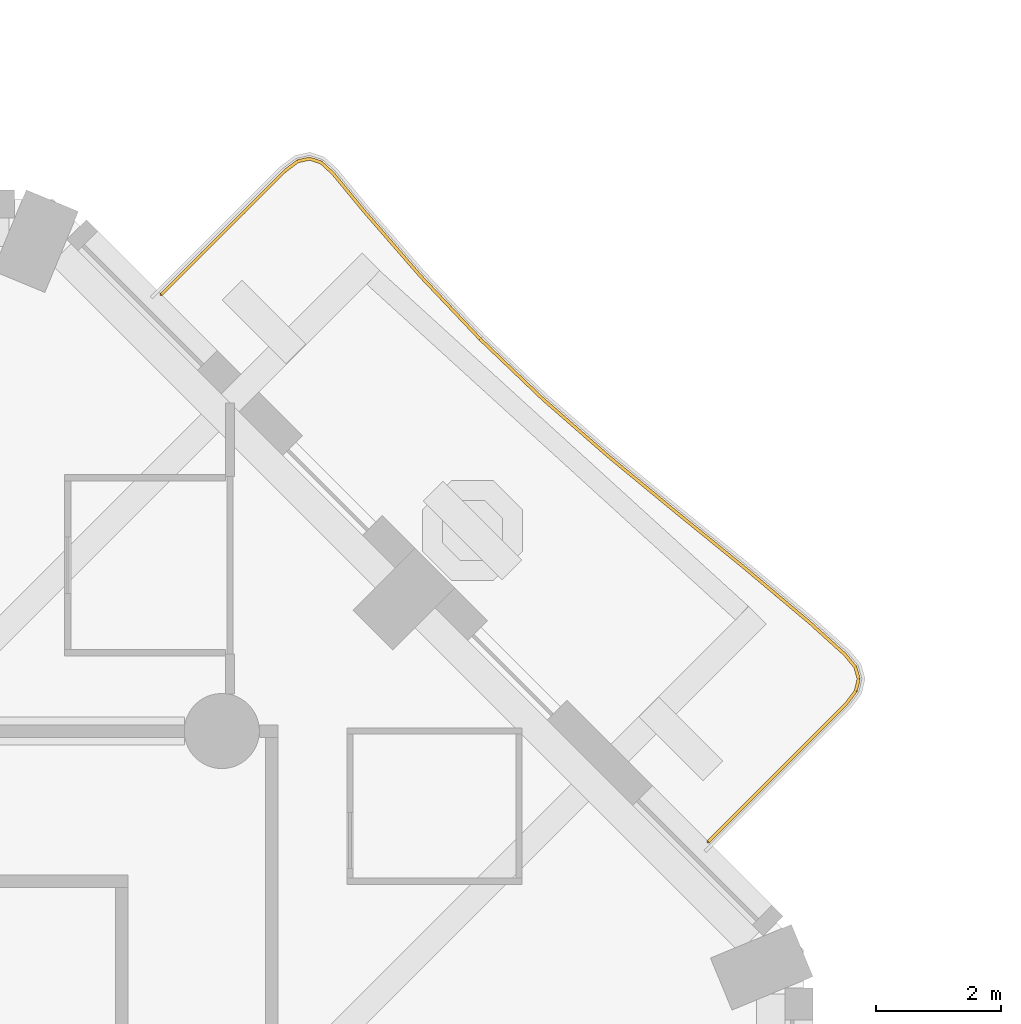
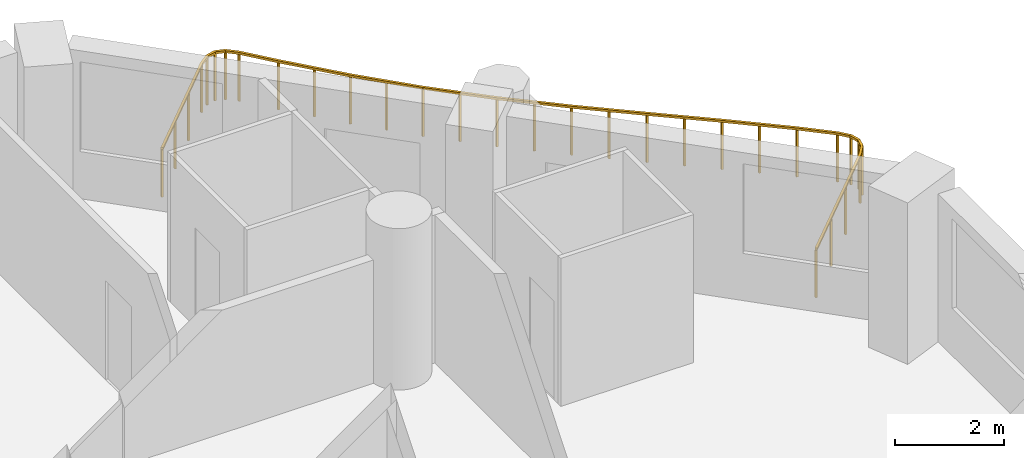
# One storey, part 19 of 20: 1 railing.
"""IFC4 building model written with IfcOpenShell, lengths in metres."""

import ifcopenshell
import ifcopenshell.guid

model = None  # the IFC model being written
_history = None  # IfcOwnerHistory: only IFC2X3 demands one
_inside = {}  # id of a spatial element -> (the spatial element, [elements in it])
_under = {}  # id of a project, library or spatial element -> (it, [spatial elements below it])
_declared = {}  # id of a project -> (the project, [libraries it declares])
_typed = {}  # id of a type object -> (the type object, [elements of that type])
_made_of = {}  # id of a material, layer set ... -> (it, [elements and type objects made of it])


def new_model(schema):
    """Start an empty IFC model of exactly this schema.

    Asked for "IFC4X3", IfcOpenShell would pick the latest addendum, in which some entities
    have other attributes; the version numbers below select the first issue.
    IFC2X3 requires an IfcOwnerHistory on every rooted entity: one is made here for all.
    """
    global model, _history
    if schema == "IFC4X3":
        model = ifcopenshell.file(schema_version=(4, 3, 0, 0))
    else:
        model = ifcopenshell.file(schema=schema)
    _inside.clear()
    _under.clear()
    _declared.clear()
    _typed.clear()
    _made_of.clear()
    _history = None
    if model.schema == "IFC2X3":
        org = make("IfcOrganization", Name="unknown")
        user = make(
            "IfcPersonAndOrganization",
            ThePerson=make("IfcPerson", FamilyName="unknown"),
            TheOrganization=org,
        )
        app = make(
            "IfcApplication",
            ApplicationDeveloper=org,
            Version="unknown",
            ApplicationFullName="unknown",
            ApplicationIdentifier="unknown",
        )
        _history = make(
            "IfcOwnerHistory",
            OwningUser=user,
            OwningApplication=app,
            ChangeAction="ADDED",
            CreationDate=0,
        )
    return model


def make(cls, **values):
    """One entity of the class cls with the attributes given. An attribute that is None is left unset."""
    return model.create_entity(
        cls, **{name: value for name, value in values.items() if value is not None}
    )


def rooted(cls, **values):
    """An entity with a GlobalId (a new one), such as an element, a storey or a relation."""
    return make(cls, GlobalId=ifcopenshell.guid.new(), OwnerHistory=_history, **values)


def si_unit(unit_type, name, prefix=None):
    """IfcSIUnit, for example si_unit("LENGTHUNIT", "METRE", prefix="MILLI")."""
    return make("IfcSIUnit", UnitType=unit_type, Prefix=prefix, Name=name)


def assignment(units):
    """IfcUnitAssignment: the units of a project."""
    return None if units is None else make("IfcUnitAssignment", Units=units)


def point(xyz):
    """IfcCartesianPoint."""
    return None if xyz is None else make("IfcCartesianPoint", Coordinates=xyz)


def direction(xyz):
    """IfcDirection."""
    return None if xyz is None else make("IfcDirection", DirectionRatios=xyz)


def frame(location, z_axis=None, x_axis=None):
    """IfcAxis2Placement3D, a coordinate frame: its origin and axes. An axis left out is left unset."""
    return make(
        "IfcAxis2Placement3D",
        Location=point(location),
        Axis=direction(z_axis),
        RefDirection=direction(x_axis),
    )


def frame_2d(location, x_axis=None):
    """IfcAxis2Placement2D, a coordinate frame in the plane: its origin and x axis."""
    return make(
        "IfcAxis2Placement2D", Location=point(location), RefDirection=direction(x_axis)
    )


def origin():
    """The frame at (0, 0, 0) with its axes left unset."""
    return frame((0.0, 0.0, 0.0))


def origin_2d():
    """The frame at (0, 0) in the plane with its x axis left unset."""
    return frame_2d((0.0, 0.0))


def place(relative_to, where):
    """IfcLocalPlacement: puts the frame where relative to a parent placement (None: the world)."""
    return make(
        "IfcLocalPlacement", PlacementRelTo=relative_to, RelativePlacement=where
    )


def context(
    kind, dimensions, precision=None, world=None, true_north=None, identifier=None
):
    """IfcGeometricRepresentationContext, for example the 3D "Model" context."""
    return make(
        "IfcGeometricRepresentationContext",
        ContextIdentifier=identifier,
        ContextType=kind,
        CoordinateSpaceDimension=dimensions,
        Precision=precision,
        WorldCoordinateSystem=world,
        TrueNorth=true_north,
    )


def subcontext(parent, identifier, kind, view, scale=None):
    """IfcGeometricRepresentationSubContext, for example "Body" below "Model"."""
    return make(
        "IfcGeometricRepresentationSubContext",
        ContextIdentifier=identifier,
        ContextType=kind,
        ParentContext=parent,
        TargetScale=scale,
        TargetView=view,
    )


def project(units=None, contexts=None):
    """IfcProject with its units and contexts."""
    return rooted(
        "IfcProject",
        Name="project",
        RepresentationContexts=contexts,
        UnitsInContext=assignment(units),
    )


def spatial(cls, under=None, at=None, **own):
    """A site, building, storey or space (cls), placed at a placement, below another one or the project."""
    s = rooted(cls, ObjectPlacement=at, **own)
    if under is not None:
        _under.setdefault(under.id(), (under, []))[1].append(s)
    return s


def profile(cls, at=None, kind="AREA", **sizes):
    """A parametric profile (cls). Its sizes go by their IFC names, for example OverallWidth=200.0."""
    return make(cls, ProfileType=kind, Position=at, **sizes)


def rectangle(**sizes):
    """IfcRectangleProfileDef."""
    return profile("IfcRectangleProfileDef", **sizes)


def extrude(swept, where, along, depth):
    """IfcExtrudedAreaSolid: the profile swept, set in the frame where, extruded along a direction by depth."""
    return make(
        "IfcExtrudedAreaSolid",
        SweptArea=swept,
        Position=where,
        ExtrudedDirection=direction(along),
        Depth=depth,
    )


def shape(context_of_items, identifier, shape_type, items):
    """IfcShapeRepresentation: the items that make up one representation, for example the "Body"."""
    return make(
        "IfcShapeRepresentation",
        ContextOfItems=context_of_items,
        RepresentationIdentifier=identifier,
        RepresentationType=shape_type,
        Items=items,
    )


def material(Name=None, Category=None):
    """IfcMaterial."""
    return make("IfcMaterial", Name=Name, Category=Category)


def made_of(thing, what):
    """Note that an element or type object is made of a material, layer set ...; save() writes the relation."""
    if what is not None:
        _made_of.setdefault(what.id(), (what, []))[1].append(thing)
    return thing


def type_object(cls, material=None, **own):
    """A type object (cls), such as IfcWallType, which elements share."""
    return made_of(rooted(cls, **own), material)


def element(
    cls,
    number,
    at=None,
    inside=None,
    cuts=None,
    type_object=None,
    material=None,
    context=None,
    identifier="Body",
    shape_type=None,
    held_by="IfcProductDefinitionShape",
    body=None,
    shapes=None,
    **own,
):
    """One element of the class cls, such as IfcWall. Its Tag is "e" and its number.

    at: its placement. inside: the storey or other place that contains it. cuts: it is an
    opening in that element (IfcRelVoidsElement). A single representation is given by context,
    identifier, shape_type and body (its items); several are given by shapes. held_by: the class
    of the entity that holds the representations. save() writes the other relations.
    """
    e = rooted(cls, Tag="e%d" % number, ObjectPlacement=at, **own)
    if body is not None:
        shapes = [shape(context, identifier, shape_type, body)]
    if shapes is not None:
        e.Representation = make(held_by, Representations=shapes)
    if inside is not None:
        _inside.setdefault(inside.id(), (inside, []))[1].append(e)
    if cuts is not None:
        rooted(
            "IfcRelVoidsElement", RelatingBuildingElement=cuts, RelatedOpeningElement=e
        )
    if type_object is not None:
        _typed.setdefault(type_object.id(), (type_object, []))[1].append(e)
    return made_of(e, material)


def aggregate(whole, parts):
    """IfcRelAggregates: a whole, such as a stair, and the parts it consists of."""
    return rooted("IfcRelAggregates", RelatingObject=whole, RelatedObjects=parts)


def save(model, path):
    """Write the relations noted so far, then the file.

    IfcRelAggregates (storeys below a building ...), IfcRelContainedInSpatialStructure (elements
    in a storey), IfcRelDefinesByType, IfcRelAssociatesMaterial and IfcRelDeclares: one each for
    every whole, place, type object, material and project.
    """
    for whole, parts in _under.values():
        aggregate(whole, parts)
    for where, things in _inside.values():
        rooted(
            "IfcRelContainedInSpatialStructure",
            RelatedElements=things,
            RelatingStructure=where,
        )
    for kind, things in _typed.values():
        rooted("IfcRelDefinesByType", RelatedObjects=things, RelatingType=kind)
    for what, things in _made_of.values():
        rooted("IfcRelAssociatesMaterial", RelatedObjects=things, RelatingMaterial=what)
    for by, libraries in _declared.values():
        rooted("IfcRelDeclares", RelatingContext=by, RelatedDefinitions=libraries)
    model.write(path)


model = new_model("IFC4")

# Units and contexts
model_context = context("Model", 3, precision=1e-05, world=origin(), true_north=direction((0.0, 1.0)))
body_context = subcontext(model_context, "Body", "Model", "MODEL_VIEW")
ifc_project = project(units=[si_unit("LENGTHUNIT", "METRE"), si_unit("AREAUNIT", "SQUARE_METRE"), si_unit("VOLUMEUNIT", "CUBIC_METRE"), si_unit("PLANEANGLEUNIT", "RADIAN"), si_unit("MASSUNIT", "GRAM", prefix="KILO")], contexts=[model_context])

# Site, building, storey
site_placement = place(None, origin())
site = spatial("IfcSite", under=ifc_project, at=site_placement, CompositionType="ELEMENT")
building_placement = place(site_placement, origin())
building = spatial("IfcBuilding", under=site, at=building_placement, Name="Cypress Arch Tower", CompositionType="ELEMENT")
storey_placement = place(building_placement, frame((0.0, 0.0, 77.10009765625)))
storey = spatial("IfcBuildingStorey", under=building, at=storey_placement, Name="L13", CompositionType="ELEMENT", Elevation=77.10009765625)

# Railing
ifc_material = material(Name="Powder-coated steel posts and rods, 100 mm clear between rods", Category="steel")
railing_type = type_object("IfcRailingType", Name="Balcony guard GR1100", PredefinedType="GUARDRAIL", material=ifc_material)
railing_placement = place(storey_placement, frame((14.33251953125, 24.479736328125, 0.0)))
element("IfcRailing", 1, at=railing_placement, inside=storey, type_object=railing_type, Name="Balcony guard L13-A07", PredefinedType="GUARDRAIL", context=body_context, shape_type="SweptSolid", body=[
    extrude(rectangle(XDim=0.050048828125, YDim=0.050048828125, at=origin_2d()), frame((0.0, 0.0, 1.0751953125), z_axis=(0.70706303676, 0.707150522907, 0.0), x_axis=(-0.707150522907, 0.70706303676, 0.0)), (0.0, 0.0, 1.0), 2.79052734375),
    extrude(rectangle(XDim=0.050048828125, YDim=0.050048828125, at=origin_2d()), frame((1.97314453125, 1.973388671875, 1.0751953125), z_axis=(0.800791605155, 0.598943073349, 0.0), x_axis=(-0.598943073349, 0.800791605155, 0.0)), (0.0, 0.0, 1.0), 0.2587890625),
    extrude(rectangle(XDim=0.050048828125, YDim=0.050048828125, at=origin_2d()), frame((2.180419921875, 2.12841796875, 1.0751953125), z_axis=(0.975979195226, 0.217863742934, 0.0), x_axis=(-0.217863742934, 0.975979195226, 0.0)), (0.0, 0.0, 1.0), 0.19384765625),
    extrude(rectangle(XDim=0.050048828125, YDim=0.050048828125, at=origin_2d()), frame((2.36962890625, 2.170654296875, 1.0751953125), z_axis=(0.949935630606, -0.312445671605, 0.0), x_axis=(0.312445671605, 0.949935630606, 0.0)), (0.0, 0.0, 1.0), 0.19384765625),
    extrude(rectangle(XDim=0.050048828125, YDim=0.050048828125, at=origin_2d()), frame((2.5537109375, 2.110107421875, 1.0751953125), z_axis=(0.738914385841, -0.67379932502, 0.0), x_axis=(0.67379932502, 0.738914385841, 0.0)), (0.0, 0.0, 1.0), 0.2587890625),
    extrude(rectangle(XDim=0.050048828125, YDim=0.050048828125, at=origin_2d()), frame((2.744873046875, 1.935791015625, 1.0751953125), z_axis=(0.634944143774, -0.772558045902, 0.0), x_axis=(0.772558045902, 0.634944143774, 0.0)), (0.0, 0.0, 1.0), 0.762939453125),
    extrude(rectangle(XDim=0.050048828125, YDim=0.050048828125, at=origin_2d()), frame((3.229248046875, 1.346435546875, 1.0751953125), z_axis=(0.655591853441, -0.755115436011, 0.0), x_axis=(0.755115436011, 0.655591853441, 0.0)), (0.0, 0.0, 1.0), 1.390869140625),
    extrude(rectangle(XDim=0.050048828125, YDim=0.050048828125, at=origin_2d()), frame((4.14111328125, 0.296142578125, 1.0751953125), z_axis=(0.687681242881, -0.726012746575, 0.0), x_axis=(0.726012746575, 0.687681242881, 0.0)), (0.0, 0.0, 1.0), 1.388427734375),
    extrude(rectangle(XDim=0.050048828125, YDim=0.050048828125, at=origin_2d()), frame((5.095947265625, -0.7119140625, 1.0751953125), z_axis=(0.722844264149, -0.691010976604, 0.0), x_axis=(0.691010976604, 0.722844264149, 0.0)), (0.0, 0.0, 1.0), 1.38818359375),
    extrude(rectangle(XDim=0.050048828125, YDim=0.050048828125, at=origin_2d()), frame((6.099365234375, -1.671142578125, 1.0751953125), z_axis=(0.752837657754, -0.658206245084, 0.0), x_axis=(0.658206245084, 0.752837657754, 0.0)), (0.0, 0.0, 1.0), 1.390625),
    extrude(rectangle(XDim=0.050048828125, YDim=0.050048828125, at=origin_2d()), frame((7.146240234375, -2.58642578125, 1.0751953125), z_axis=(0.771601248471, -0.636106526738, 0.0), x_axis=(0.636106526738, 0.771601248471, 0.0)), (0.0, 0.0, 1.0), 1.392822265625),
    extrude(rectangle(XDim=0.050048828125, YDim=0.050048828125, at=origin_2d()), frame((8.220947265625, -3.472412109375, 1.0751953125), z_axis=(0.775937046149, -0.630810352177, 0.0), x_axis=(0.630810352177, 0.775937046149, 0.0)), (0.0, 0.0, 1.0), 1.392822265625),
    extrude(rectangle(XDim=0.050048828125, YDim=0.050048828125, at=origin_2d()), frame((9.3017578125, -4.35107421875, 1.0751953125), z_axis=(0.765448637762, -0.64349699529, 0.0), x_axis=(0.64349699529, 0.765448637762, 0.0)), (0.0, 0.0, 1.0), 1.389404296875),
    extrude(rectangle(XDim=0.050048828125, YDim=0.050048828125, at=origin_2d()), frame((10.365234375, -5.2451171875, 1.0751953125), z_axis=(0.741467158331, -0.670989160208, 0.0), x_axis=(0.670989160208, 0.741467158331, 0.0)), (0.0, 0.0, 1.0), 0.758544921875),
    extrude(rectangle(XDim=0.050048828125, YDim=0.050048828125, at=origin_2d()), frame((10.927734375, -5.754150390625, 1.0751953125), z_axis=(0.63879734614, -0.769375038954, 0.0), x_axis=(0.769375038954, 0.63879734614, 0.0)), (0.0, 0.0, 1.0), 0.260009765625),
    extrude(rectangle(XDim=0.050048828125, YDim=0.050048828125, at=origin_2d()), frame((11.09375, -5.9541015625, 1.0751953125), z_axis=(0.278445246114, -0.960452104437, 0.0), x_axis=(0.960452104437, 0.278445246114, 0.0)), (0.0, 0.0, 1.0), 0.198974609375),
    extrude(rectangle(XDim=0.050048828125, YDim=0.050048828125, at=origin_2d()), frame((11.149169921875, -6.145263671875, 1.0751953125), z_axis=(-0.2295181815, -0.973304373955, 0.0), x_axis=(0.973304373955, -0.2295181815, 0.0)), (0.0, 0.0, 1.0), 0.198974609375),
    extrude(rectangle(XDim=0.050048828125, YDim=0.050048828125, at=origin_2d()), frame((11.103515625, -6.3388671875, 1.0751953125), z_axis=(-0.599398552985, -0.8004507322, 0.0), x_axis=(0.8004507322, -0.599398552985, 0.0)), (0.0, 0.0, 1.0), 0.259765625),
    extrude(rectangle(XDim=0.050048828125, YDim=0.050048828125, at=origin_2d()), frame((10.94775390625, -6.546875, 1.0751953125), z_axis=(-0.707106781187, -0.707106781187, 0.0), x_axis=(0.707106781187, -0.707106781187, 0.0)), (0.0, 0.0, 1.0), 3.11181640625),
    extrude(rectangle(XDim=0.0400390625, YDim=0.0400390625, at=origin_2d()), origin(), (0.0, 0.0, 1.0), 1.050048828125),
    extrude(rectangle(XDim=0.0400390625, YDim=0.0400390625, at=origin_2d()), frame((0.65771484375, 0.65771484375, 0.0)), (0.0, 0.0, 1.0), 1.050048828125),
    extrude(rectangle(XDim=0.0400390625, YDim=0.0400390625, at=origin_2d()), frame((1.3154296875, 1.315673828125, 0.0)), (0.0, 0.0, 1.0), 1.050048828125),
    extrude(rectangle(XDim=0.0400390625, YDim=0.0400390625, at=origin_2d()), frame((1.97314453125, 1.973388671875, 0.0)), (0.0, 0.0, 1.0), 1.050048828125),
    extrude(rectangle(XDim=0.0400390625, YDim=0.0400390625, at=origin_2d()), frame((2.180419921875, 2.12841796875, 0.0)), (0.0, 0.0, 1.0), 1.050048828125),
    extrude(rectangle(XDim=0.0400390625, YDim=0.0400390625, at=origin_2d()), frame((2.36962890625, 2.170654296875, 0.0)), (0.0, 0.0, 1.0), 1.050048828125),
    extrude(rectangle(XDim=0.0400390625, YDim=0.0400390625, at=origin_2d()), frame((2.5537109375, 2.110107421875, 0.0)), (0.0, 0.0, 1.0), 1.050048828125),
    extrude(rectangle(XDim=0.0400390625, YDim=0.0400390625, at=origin_2d()), frame((2.744873046875, 1.935791015625, 0.0)), (0.0, 0.0, 1.0), 1.050048828125),
    extrude(rectangle(XDim=0.0400390625, YDim=0.0400390625, at=origin_2d()), frame((3.229248046875, 1.346435546875, 0.0)), (0.0, 0.0, 1.0), 1.050048828125),
    extrude(rectangle(XDim=0.0400390625, YDim=0.0400390625, at=origin_2d()), frame((3.68505859375, 0.8212890625, 0.0)), (0.0, 0.0, 1.0), 1.050048828125),
    extrude(rectangle(XDim=0.0400390625, YDim=0.0400390625, at=origin_2d()), frame((4.14111328125, 0.296142578125, 0.0)), (0.0, 0.0, 1.0), 1.050048828125),
    extrude(rectangle(XDim=0.0400390625, YDim=0.0400390625, at=origin_2d()), frame((4.61865234375, -0.2080078125, 0.0)), (0.0, 0.0, 1.0), 1.050048828125),
    extrude(rectangle(XDim=0.0400390625, YDim=0.0400390625, at=origin_2d()), frame((5.095947265625, -0.7119140625, 0.0)), (0.0, 0.0, 1.0), 1.050048828125),
    extrude(rectangle(XDim=0.0400390625, YDim=0.0400390625, at=origin_2d()), frame((5.59765625, -1.19140625, 0.0)), (0.0, 0.0, 1.0), 1.050048828125),
    extrude(rectangle(XDim=0.0400390625, YDim=0.0400390625, at=origin_2d()), frame((6.099365234375, -1.671142578125, 0.0)), (0.0, 0.0, 1.0), 1.050048828125),
    extrude(rectangle(XDim=0.0400390625, YDim=0.0400390625, at=origin_2d()), frame((6.622802734375, -2.12890625, 0.0)), (0.0, 0.0, 1.0), 1.050048828125),
    extrude(rectangle(XDim=0.0400390625, YDim=0.0400390625, at=origin_2d()), frame((7.146240234375, -2.58642578125, 0.0)), (0.0, 0.0, 1.0), 1.050048828125),
    extrude(rectangle(XDim=0.0400390625, YDim=0.0400390625, at=origin_2d()), frame((7.68359375, -3.029296875, 0.0)), (0.0, 0.0, 1.0), 1.050048828125),
    extrude(rectangle(XDim=0.0400390625, YDim=0.0400390625, at=origin_2d()), frame((8.220947265625, -3.472412109375, 0.0)), (0.0, 0.0, 1.0), 1.050048828125),
    extrude(rectangle(XDim=0.0400390625, YDim=0.0400390625, at=origin_2d()), frame((8.76123046875, -3.91162109375, 0.0)), (0.0, 0.0, 1.0), 1.050048828125),
    extrude(rectangle(XDim=0.0400390625, YDim=0.0400390625, at=origin_2d()), frame((9.3017578125, -4.35107421875, 0.0)), (0.0, 0.0, 1.0), 1.050048828125),
    extrude(rectangle(XDim=0.0400390625, YDim=0.0400390625, at=origin_2d()), frame((9.83349609375, -4.798095703125, 0.0)), (0.0, 0.0, 1.0), 1.050048828125),
    extrude(rectangle(XDim=0.0400390625, YDim=0.0400390625, at=origin_2d()), frame((10.365234375, -5.2451171875, 0.0)), (0.0, 0.0, 1.0), 1.050048828125),
    extrude(rectangle(XDim=0.0400390625, YDim=0.0400390625, at=origin_2d()), frame((10.927734375, -5.754150390625, 0.0)), (0.0, 0.0, 1.0), 1.050048828125),
    extrude(rectangle(XDim=0.0400390625, YDim=0.0400390625, at=origin_2d()), frame((11.09375, -5.9541015625, 0.0)), (0.0, 0.0, 1.0), 1.050048828125),
    extrude(rectangle(XDim=0.0400390625, YDim=0.0400390625, at=origin_2d()), frame((11.149169921875, -6.145263671875, 0.0)), (0.0, 0.0, 1.0), 1.050048828125),
    extrude(rectangle(XDim=0.0400390625, YDim=0.0400390625, at=origin_2d()), frame((11.103515625, -6.3388671875, 0.0)), (0.0, 0.0, 1.0), 1.050048828125),
    extrude(rectangle(XDim=0.0400390625, YDim=0.0400390625, at=origin_2d()), frame((10.94775390625, -6.546875, 0.0)), (0.0, 0.0, 1.0), 1.050048828125),
    extrude(rectangle(XDim=0.0400390625, YDim=0.0400390625, at=origin_2d()), frame((10.21435546875, -7.2802734375, 0.0)), (0.0, 0.0, 1.0), 1.050048828125),
    extrude(rectangle(XDim=0.0400390625, YDim=0.0400390625, at=origin_2d()), frame((9.480712890625, -8.013916015625, 0.0)), (0.0, 0.0, 1.0), 1.050048828125),
    extrude(rectangle(XDim=0.0400390625, YDim=0.0400390625, at=origin_2d()), frame((8.747314453125, -8.747314453125, 0.0)), (0.0, 0.0, 1.0), 1.050048828125),
])

save(model, "model.ifc")
